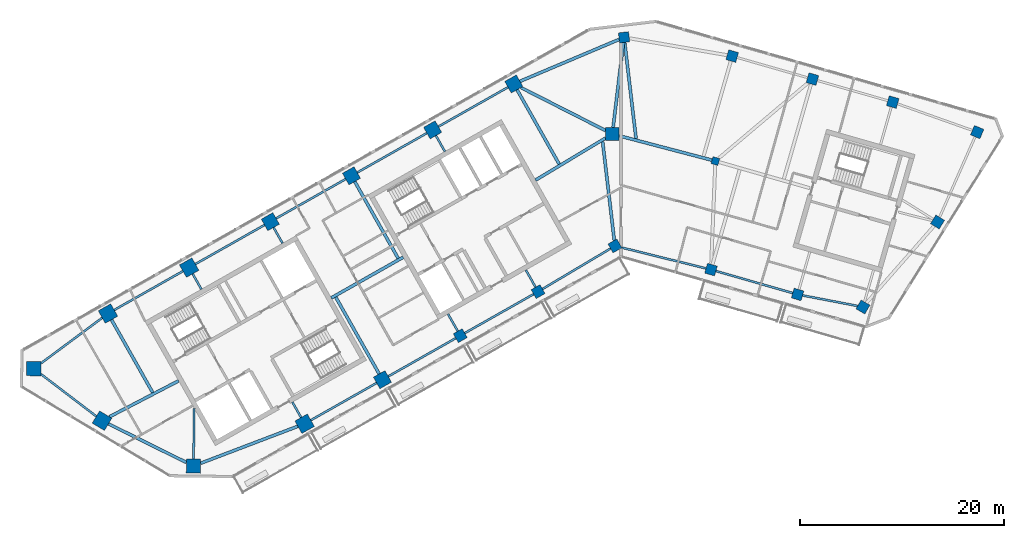
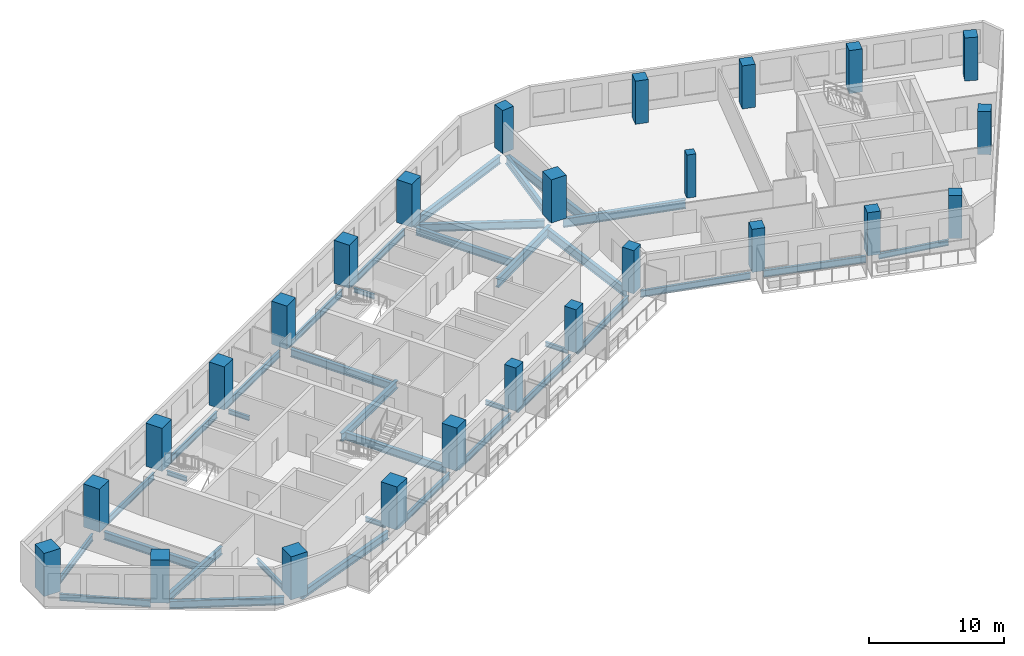
# One storey, part 1 of 11: 36 beams, 25 columns.
"""IFC4 building model written with IfcOpenShell, lengths in metres."""

from ifc_helpers import new_model, si_unit, direction, frame, origin, origin_2d, place, context, subcontext, project, spatial, rectangle, i_section, extrude, material, material_profile, profile_set, type_object, element, save


model = new_model("IFC4")

# Units and contexts
model_context = context("Model", 3, precision=1e-05, world=origin(), true_north=direction((0.0, 1.0)))
body_context = subcontext(model_context, "Body", "Model", "MODEL_VIEW")
ifc_project = project(units=[si_unit("LENGTHUNIT", "METRE"), si_unit("AREAUNIT", "SQUARE_METRE"), si_unit("VOLUMEUNIT", "CUBIC_METRE"), si_unit("PLANEANGLEUNIT", "RADIAN"), si_unit("MASSUNIT", "GRAM", prefix="KILO")], contexts=[model_context])

# Site, building, storey
site_placement = place(None, origin())
site = spatial("IfcSite", under=ifc_project, at=site_placement, CompositionType="ELEMENT")
building_placement = place(site_placement, origin())
building = spatial("IfcBuilding", under=site, at=building_placement, Name="Binnacle Exchange Tower", CompositionType="ELEMENT")
storey_placement = place(building_placement, frame((0.0, 0.0, 219.199951171875)))
storey = spatial("IfcBuildingStorey", under=building, at=storey_placement, Name="L48", CompositionType="ELEMENT", Elevation=219.199951171875)

# Columns
ifc_material_1 = material(Name="Concrete C60/75", Category="concrete")
ifc_material_profile_1 = material_profile(ifc_material_1, rectangle(XDim=0.699951171875, YDim=0.699951171875, at=origin_2d()), Name="Column 700x700 C60/75")
ifc_profile_set_1 = profile_set([ifc_material_profile_1], Name="Concrete C60/75")
column_type_1 = type_object("IfcColumnType", Name="Column 700x700 C60/75", PredefinedType="COLUMN", material=ifc_profile_set_1)
column_placement = place(storey_placement, frame((9.240966796875, 57.35009765625, 0.0), z_axis=(0.0, 0.0, 1.0), x_axis=(0.961261695938, -0.275637355817, 0.0)))
element("IfcColumn", 1, at=column_placement, inside=storey, type_object=column_type_1, Name="S:COL:C19:L48", PredefinedType="COLUMN", context=body_context, shape_type="SweptSolid", body=[
    extrude(rectangle(XDim=0.699951171875, YDim=0.699951171875, at=origin_2d()), origin(), (0.0, 0.0, 1.0), 3.900146484375),
])
ifc_material_profile_2 = material_profile(ifc_material_1, rectangle(XDim=1.0, YDim=1.0, at=origin_2d()), Name="Mega column 1000x1000 C60/75")
ifc_profile_set_2 = profile_set([ifc_material_profile_2], Name="Concrete C60/75")
column_type_2 = type_object("IfcColumnType", Name="Mega column 1000x1000 C60/75", PredefinedType="COLUMN", material=ifc_profile_set_2)
for number, where, z_axis, x_axis, name in (
    (2, (26.602783203125, 63.12353515625, 0.0), (0.0, 0.0, 1.0), (-0.961261695938, 0.275637355817, 0.0), "S:COL:MC52:L48"),
    (3, (18.746337890625, 65.376220703125, 0.0), (0.0, 0.0, 1.0), (-0.961261695938, 0.275637355817, 0.0), "S:COL:MC50:L48"),
    (4, (10.889892578125, 67.62890625, 0.0), (0.0, 0.0, 1.0), (-0.961261695938, 0.275637355817, 0.0), "S:COL:MC48:L48"),
    (5, (0.300048828125, 69.464111328125, 0.0), (0.0, 0.0, 1.0), (-0.993068456955, -0.117537397458, 0.0), "S:COL:MC47:L48"),
    (6, (-15.736328125, 40.257080078125, 0.0), (0.0, 0.0, 1.0), (0.87035569594, 0.492423560103, 0.0), "S:COL:MC24:L48"),
    (7, (-8.116943359375, 44.568115234375, 0.0), (0.0, 0.0, 1.0), (0.87035569594, 0.492423560103, 0.0), "S:COL:MC35:L48"),
    (8, (-0.5908203125, 49.04443359375, 0.0), (0.0, 0.0, 1.0), (0.87035569594, 0.492423560103, 0.0), "S:COL:MC46:L48"),
    (9, (8.8095703125, 46.722412109375, 0.0), (0.0, 0.0, 1.0), (0.961261695938, -0.275637355817, 0.0), "S:COL:MC49:L48"),
    (10, (17.2880859375, 44.291015625, 0.0), (0.0, 0.0, 1.0), (0.961261695938, -0.275637355817, 0.0), "S:COL:MC51:L48"),
    (11, (23.690185546875, 43.062744140625, 0.0), (0.0, 0.0, 1.0), (-0.86532642813, 0.501208711795, 0.0), "S:COL:MC53:L48"),
    (12, (30.989501953125, 51.38623046875, 0.0), (0.0, 0.0, 1.0), (0.529919264233, 0.848048096156, 0.0), "S:COL:MC55:L48"),
    (13, (34.870361328125, 60.18701171875, 0.0), (0.0, 0.0, 1.0), (-0.922814001807, 0.385245789164, 0.0), "S:COL:MC54:L48"),
):
    element("IfcColumn", number, at=place(storey_placement, frame(where, z_axis=z_axis, x_axis=x_axis)), inside=storey, type_object=column_type_2, Name=name, PredefinedType="COLUMN", context=body_context, shape_type="SweptSolid", body=[
        extrude(rectangle(XDim=1.0, YDim=1.0, at=origin_2d()), origin(), (0.0, 0.0, 1.0), 3.900146484375),
    ])
ifc_material_profile_3 = material_profile(ifc_material_1, rectangle(XDim=1.300048828125, YDim=1.300048828125, at=origin_2d()), Name="Mega column 1300x1300 C60/75")
ifc_profile_set_3 = profile_set([ifc_material_profile_3], Name="Concrete C60/75")
column_type_3 = type_object("IfcColumnType", Name="Mega column 1300x1300 C60/75", PredefinedType="COLUMN", material=ifc_profile_set_3)
for number, where, z_axis, x_axis, name in (
    (14, (-10.4951171875, 64.901611328125, 0.0), (0.0, 0.0, 1.0), (-0.87035569594, -0.492423560103, 0.0), "S:COL:MC38:L48"),
    (15, (-18.44140625, 60.406005859375, 0.0), (0.0, 0.0, 1.0), (-0.87035569594, -0.492423560103, 0.0), "S:COL:MC29:L48"),
    (16, (-26.3876953125, 55.91015625, 0.0), (0.0, 0.0, 1.0), (-0.87035569594, -0.492423560103, 0.0), "S:COL:MC21:L48"),
    (17, (-34.333740234375, 51.414306640625, 0.0), (0.0, 0.0, 1.0), (-0.87035569594, -0.492423560103, 0.0), "S:COL:MC13:L48"),
    (18, (-23.35595703125, 35.9462890625, 0.0), (0.0, 0.0, 1.0), (0.87035569594, 0.492423560103, 0.0), "S:COL:MC16:L48"),
    (19, (-0.85009765625, 60.0, 0.0), (0.0, 0.0, 1.0), (0.0, 1.0, 0.0), "S:COL:MC45:L48"),
):
    element("IfcColumn", number, at=place(storey_placement, frame(where, z_axis=z_axis, x_axis=x_axis)), inside=storey, type_object=column_type_3, Name=name, PredefinedType="COLUMN", context=body_context, shape_type="SweptSolid", body=[
        extrude(rectangle(XDim=1.300048828125, YDim=1.300048828125, at=origin_2d()), origin(), (0.0, 0.0, 1.0), 3.900146484375),
    ])
ifc_material_profile_4 = material_profile(ifc_material_1, rectangle(XDim=1.39990234375, YDim=1.39990234375, at=origin_2d()), Name="Mega column 1400x1400 C60/75")
ifc_profile_set_4 = profile_set([ifc_material_profile_4], Name="Concrete C60/75")
column_type_4 = type_object("IfcColumnType", Name="Mega column 1400x1400 C60/75", PredefinedType="COLUMN", material=ifc_profile_set_4)
for number, where, z_axis, x_axis, name in (
    (20, (-42.280029296875, 46.918701171875, 0.0), (0.0, 0.0, 1.0), (-0.87035569594, -0.492423560103, 0.0), "S:COL:MC08:L48"),
    (21, (-50.226318359375, 42.4228515625, 0.0), (0.0, 0.0, 1.0), (-0.87035569594, -0.492423560103, 0.0), "S:COL:MC04:L48"),
    (22, (-57.492919921875, 37.02734375, 0.0), (0.0, 0.0, 1.0), (-0.013089595571, -0.999914327574, 0.0), "S:COL:MC02:L48"),
    (23, (-50.81201171875, 31.930908203125, 0.0), (0.0, 0.0, 1.0), (0.857167300702, -0.51503807491, 0.0), "S:COL:MC01:L48"),
    (24, (-41.857666015625, 27.494873046875, 0.0), (0.0, 0.0, 1.0), (0.999914327574, -0.013089595571, 0.0), "S:COL:MC03:L48"),
    (25, (-30.9755859375, 31.63525390625, 0.0), (0.0, 0.0, 1.0), (0.87035569594, 0.492423560103, 0.0), "S:COL:MC07:L48"),
):
    element("IfcColumn", number, at=place(storey_placement, frame(where, z_axis=z_axis, x_axis=x_axis)), inside=storey, type_object=column_type_4, Name=name, PredefinedType="COLUMN", context=body_context, shape_type="SweptSolid", body=[
        extrude(rectangle(XDim=1.39990234375, YDim=1.39990234375, at=origin_2d()), origin(), (0.0, 0.0, 1.0), 3.900146484375),
    ])

# Beams
ifc_material_2 = material(Name="Steel S355 (SHN355)", Category="steel")
ifc_material_profile_5 = material_profile(ifc_material_2, i_section(OverallWidth=0.199951171875, OverallDepth=0.5, WebThickness=0.010009765625, FlangeThickness=0.01611328125, FilletRadius=0.02001953125, at=origin_2d()), Name="H 500x200x10x16")
ifc_profile_set_5 = profile_set([ifc_material_profile_5], Name="Steel S355 (SHN355)")
beam_type_1 = type_object("IfcBeamType", Name="Edge girder H 500x200x10x16 Steel S355 (SHN355)", PredefinedType="SPANDREL", material=ifc_profile_set_5)
beam_1_placement = place(storey_placement, frame((17.78125, 44.196533203125, -0.530029296875), z_axis=(0.98208728148, -0.188426568073, 0.0), x_axis=(0.188426568073, 0.98208728148, 0.0)))
element("IfcBeam", 26, at=beam_1_placement, inside=storey, type_object=beam_type_1, Name="S:BM:edge:L48:028", PredefinedType="SPANDREL", context=body_context, shape_type="SweptSolid", body=[
    extrude(i_section(OverallWidth=0.199951171875, OverallDepth=0.5, WebThickness=0.010009765625, FlangeThickness=0.01611328125, FilletRadius=0.02001953125, at=origin_2d()), origin(), (0.0, 0.0, 1.0), 5.4873046875),
])
ifc_material_profile_6 = material_profile(ifc_material_2, i_section(OverallWidth=0.199951171875, OverallDepth=0.60009765625, WebThickness=0.010986328125, FlangeThickness=0.01708984375, FilletRadius=0.02197265625, at=origin_2d()), Name="H 600x200x11x17")
ifc_profile_set_6 = profile_set([ifc_material_profile_6], Name="Steel S355 (SHN355)")
beam_type_2 = type_object("IfcBeamType", Name="Edge girder H 600x200x11x17 Steel S355 (SHN355)", PredefinedType="SPANDREL", material=ifc_profile_set_6)
beam_2_placement = place(storey_placement, frame((-56.7998046875, 36.49853515625, -0.579833984375), z_axis=(0.795081038606, -0.606503208606, 0.0), x_axis=(0.606503208606, 0.795081038606, 0.0)))
element("IfcBeam", 27, at=beam_2_placement, inside=storey, type_object=beam_type_2, Name="S:BM:edge:L48:011", PredefinedType="SPANDREL", context=body_context, shape_type="SweptSolid", body=[
    extrude(i_section(OverallWidth=0.199951171875, OverallDepth=0.60009765625, WebThickness=0.010986328125, FlangeThickness=0.01708984375, FilletRadius=0.02197265625, at=origin_2d()), origin(), (0.0, 0.0, 1.0), 6.82666015625),
])
ifc_material_profile_7 = material_profile(ifc_material_2, i_section(OverallWidth=0.200927734375, OverallDepth=0.60595703125, WebThickness=0.011962890625, FlangeThickness=0.02001953125, FilletRadius=0.02197265625, at=origin_2d()), Name="H 606x201x12x20")
ifc_profile_set_7 = profile_set([ifc_material_profile_7], Name="Steel S355 (SHN355)")
beam_type_3 = type_object("IfcBeamType", Name="Edge girder H 606x201x12x20 Steel S355 (SHN355)", PredefinedType="SPANDREL", material=ifc_profile_set_7)
beam_3_placement = place(storey_placement, frame((-50.79248046875, 42.00244140625, -0.5830078125), z_axis=(-0.802886959261, -0.596131303194, 0.0), x_axis=(0.596131303194, -0.802886959261, 0.0)))
element("IfcBeam", 28, at=beam_3_placement, inside=storey, type_object=beam_type_3, Name="S:BM:edge:L48:012", PredefinedType="SPANDREL", context=body_context, shape_type="SweptSolid", body=[
    extrude(i_section(OverallWidth=0.200927734375, OverallDepth=0.60595703125, WebThickness=0.011962890625, FlangeThickness=0.02001953125, FilletRadius=0.02197265625, at=origin_2d()), origin(), (0.0, 0.0, 1.0), 7.465087890625),
])
beam_4_placement = place(storey_placement, frame((-30.3662109375, 31.97998046875, -0.5830078125), z_axis=(0.87035151347, 0.49243095252, 0.0), x_axis=(-0.49243095252, 0.87035151347, 0.0)))
element("IfcBeam", 29, at=beam_4_placement, inside=storey, type_object=beam_type_3, Name="S:BM:edge:L48:017", PredefinedType="SPANDREL", context=body_context, shape_type="SweptSolid", body=[
    extrude(i_section(OverallWidth=0.200927734375, OverallDepth=0.60595703125, WebThickness=0.011962890625, FlangeThickness=0.02001953125, FilletRadius=0.02197265625, at=origin_2d()), origin(), (0.0, 0.0, 1.0), 7.404541015625),
])
beam_5_placement = place(storey_placement, frame((-22.790283203125, 36.266357421875, -0.5830078125), z_axis=(0.870357072119, 0.492421127708, 0.0), x_axis=(-0.492421127708, 0.870357072119, 0.0)))
element("IfcBeam", 30, at=beam_5_placement, inside=storey, type_object=beam_type_3, Name="S:BM:edge:L48:019", PredefinedType="SPANDREL", context=body_context, shape_type="SweptSolid", body=[
    extrude(i_section(OverallWidth=0.200927734375, OverallDepth=0.60595703125, WebThickness=0.011962890625, FlangeThickness=0.02001953125, FilletRadius=0.02197265625, at=origin_2d()), origin(), (0.0, 0.0, 1.0), 7.6044921875),
])
beam_6_placement = place(storey_placement, frame((-15.30126953125, 40.50341796875, -0.5830078125), z_axis=(0.870352841483, 0.492428605304, 0.0), x_axis=(-0.492428605304, 0.870352841483, 0.0)))
element("IfcBeam", 31, at=beam_6_placement, inside=storey, type_object=beam_type_3, Name="S:BM:edge:L48:021", PredefinedType="SPANDREL", context=body_context, shape_type="SweptSolid", body=[
    extrude(i_section(OverallWidth=0.200927734375, OverallDepth=0.60595703125, WebThickness=0.011962890625, FlangeThickness=0.02001953125, FilletRadius=0.02197265625, at=origin_2d()), origin(), (0.0, 0.0, 1.0), 7.754638671875),
])
beam_7_placement = place(storey_placement, frame((-7.68701171875, 44.82373046875, -0.5830078125), z_axis=(0.859458521045, 0.51120548765, 0.0), x_axis=(-0.51120548765, 0.859458521045, 0.0)))
element("IfcBeam", 32, at=beam_7_placement, inside=storey, type_object=beam_type_3, Name="S:BM:edge:L48:023", PredefinedType="SPANDREL", context=body_context, shape_type="SweptSolid", body=[
    extrude(i_section(OverallWidth=0.200927734375, OverallDepth=0.60595703125, WebThickness=0.011962890625, FlangeThickness=0.02001953125, FilletRadius=0.02197265625, at=origin_2d()), origin(), (0.0, 0.0, 1.0), 7.75634765625),
])
beam_8_placement = place(storey_placement, frame((9.2900390625, 46.58447265625, -0.5830078125), z_axis=(0.961265533153, -0.275623973506, 0.0), x_axis=(0.275623973506, 0.961265533153, 0.0)))
element("IfcBeam", 33, at=beam_8_placement, inside=storey, type_object=beam_type_3, Name="S:BM:edge:L48:026", PredefinedType="SPANDREL", context=body_context, shape_type="SweptSolid", body=[
    extrude(i_section(OverallWidth=0.200927734375, OverallDepth=0.60595703125, WebThickness=0.011962890625, FlangeThickness=0.02001953125, FilletRadius=0.02197265625, at=origin_2d()), origin(), (0.0, 0.0, 1.0), 7.820556640625),
])
ifc_material_profile_8 = material_profile(ifc_material_2, i_section(OverallWidth=0.201904296875, OverallDepth=0.612060546875, WebThickness=0.012939453125, FlangeThickness=0.02294921875, FilletRadius=0.02197265625, at=origin_2d()), Name="H 612x202x13x23")
ifc_profile_set_8 = profile_set([ifc_material_profile_8], Name="Steel S355 (SHN355)")
beam_type_4 = type_object("IfcBeamType", Name="Edge girder H 612x202x13x23 Steel S355 (SHN355)", PredefinedType="SPANDREL", material=ifc_profile_set_8)
beam_9_placement = place(storey_placement, frame((-42.88916015625, 46.573974609375, -0.5859375), z_axis=(-0.870355702011, -0.492423549372, 0.0), x_axis=(0.492423549372, -0.870355702011, 0.0)))
element("IfcBeam", 34, at=beam_9_placement, inside=storey, type_object=beam_type_4, Name="S:BM:edge:L48:014", PredefinedType="SPANDREL", context=body_context, shape_type="SweptSolid", body=[
    extrude(i_section(OverallWidth=0.201904296875, OverallDepth=0.612060546875, WebThickness=0.012939453125, FlangeThickness=0.02294921875, FilletRadius=0.02197265625, at=origin_2d()), origin(), (0.0, 0.0, 1.0), 7.72998046875),
])
beam_10_placement = place(storey_placement, frame((-34.8994140625, 51.09423828125, -0.5859375), z_axis=(-0.870365218126, -0.492406729317, 0.0), x_axis=(0.492406729317, -0.870365218126, 0.0)))
element("IfcBeam", 35, at=beam_10_placement, inside=storey, type_object=beam_type_4, Name="S:BM:edge:L48:016", PredefinedType="SPANDREL", context=body_context, shape_type="SweptSolid", body=[
    extrude(i_section(OverallWidth=0.201904296875, OverallDepth=0.612060546875, WebThickness=0.012939453125, FlangeThickness=0.02294921875, FilletRadius=0.02197265625, at=origin_2d()), origin(), (0.0, 0.0, 1.0), 7.77978515625),
])
beam_11_placement = place(storey_placement, frame((-26.953369140625, 55.590087890625, -0.5859375), z_axis=(-0.870361249296, -0.492413744452, 0.0), x_axis=(0.492413744452, -0.870361249296, 0.0)))
element("IfcBeam", 36, at=beam_11_placement, inside=storey, type_object=beam_type_4, Name="S:BM:edge:L48:018", PredefinedType="SPANDREL", context=body_context, shape_type="SweptSolid", body=[
    extrude(i_section(OverallWidth=0.201904296875, OverallDepth=0.612060546875, WebThickness=0.012939453125, FlangeThickness=0.02294921875, FilletRadius=0.02197265625, at=origin_2d()), origin(), (0.0, 0.0, 1.0), 7.829833984375),
])
beam_12_placement = place(storey_placement, frame((-19.007080078125, 60.0859375, -0.5859375), z_axis=(-0.870355446453, -0.492424001069, 0.0), x_axis=(0.492424001069, -0.870355446453, 0.0)))
element("IfcBeam", 37, at=beam_12_placement, inside=storey, type_object=beam_type_4, Name="S:BM:edge:L48:020", PredefinedType="SPANDREL", context=body_context, shape_type="SweptSolid", body=[
    extrude(i_section(OverallWidth=0.201904296875, OverallDepth=0.612060546875, WebThickness=0.012939453125, FlangeThickness=0.02294921875, FilletRadius=0.02197265625, at=origin_2d()), origin(), (0.0, 0.0, 1.0), 7.830078125),
])
beam_13_placement = place(storey_placement, frame((-11.060791015625, 64.58154296875, -0.5859375), z_axis=(-0.870361249296, -0.492413744452, 0.0), x_axis=(0.492413744452, -0.870361249296, 0.0)))
element("IfcBeam", 38, at=beam_13_placement, inside=storey, type_object=beam_type_4, Name="S:BM:edge:L48:022", PredefinedType="SPANDREL", context=body_context, shape_type="SweptSolid", body=[
    extrude(i_section(OverallWidth=0.201904296875, OverallDepth=0.612060546875, WebThickness=0.012939453125, FlangeThickness=0.02294921875, FilletRadius=0.02197265625, at=origin_2d()), origin(), (0.0, 0.0, 1.0), 7.829833984375),
])
beam_14_placement = place(storey_placement, frame((0.076904296875, 48.87939453125, -0.5859375), z_axis=(0.970819987475, -0.239809407487, 0.0), x_axis=(0.239809407487, 0.970819987475, 0.0)))
element("IfcBeam", 39, at=beam_14_placement, inside=storey, type_object=beam_type_4, Name="S:BM:edge:L48:025", PredefinedType="SPANDREL", context=body_context, shape_type="SweptSolid", body=[
    extrude(i_section(OverallWidth=0.201904296875, OverallDepth=0.612060546875, WebThickness=0.012939453125, FlangeThickness=0.02294921875, FilletRadius=0.02197265625, at=origin_2d()), origin(), (0.0, 0.0, 1.0), 8.49462890625),
])
ifc_material_profile_9 = material_profile(ifc_material_2, i_section(OverallWidth=0.300048828125, OverallDepth=0.699951171875, WebThickness=0.012939453125, FlangeThickness=0.02392578125, FilletRadius=0.028076171875, at=origin_2d()), Name="H 700x300x13x24")
ifc_profile_set_9 = profile_set([ifc_material_profile_9], Name="Steel S355 (SHN355)")
beam_type_5 = type_object("IfcBeamType", Name="Edge girder H 700x300x13x24 Steel S355 (SHN355)", PredefinedType="SPANDREL", material=ifc_profile_set_9)
beam_15_placement = place(storey_placement, frame((-50.1826171875, 31.619140625, -0.6298828125), z_axis=(0.896061326398, -0.443930286569, 0.0), x_axis=(0.443930286569, 0.896061326398, 0.0)))
element("IfcBeam", 40, at=beam_15_placement, inside=storey, type_object=beam_type_5, Name="S:BM:edge:L48:013", PredefinedType="SPANDREL", context=body_context, shape_type="SweptSolid", body=[
    extrude(i_section(OverallWidth=0.300048828125, OverallDepth=0.699951171875, WebThickness=0.012939453125, FlangeThickness=0.02392578125, FilletRadius=0.028076171875, at=origin_2d()), origin(), (0.0, 0.0, 1.0), 8.514404296875),
])
beam_16_placement = place(storey_placement, frame((-41.154052734375, 27.762451171875, -0.6298828125), z_axis=(0.934627442278, 0.355628379268, 0.0), x_axis=(-0.355628379268, 0.934627442278, 0.0)))
element("IfcBeam", 41, at=beam_16_placement, inside=storey, type_object=beam_type_5, Name="S:BM:edge:L48:015", PredefinedType="SPANDREL", context=body_context, shape_type="SweptSolid", body=[
    extrude(i_section(OverallWidth=0.300048828125, OverallDepth=0.699951171875, WebThickness=0.012939453125, FlangeThickness=0.02392578125, FilletRadius=0.028076171875, at=origin_2d()), origin(), (0.0, 0.0, 1.0), 10.18212890625),
])
beam_17_placement = place(storey_placement, frame((-0.179443359375, 69.261474609375, -0.6298828125), z_axis=(-0.921114178723, -0.389292524659, 0.0), x_axis=(0.389292524659, -0.921114178723, 0.0)))
element("IfcBeam", 42, at=beam_17_placement, inside=storey, type_object=beam_type_5, Name="S:BM:edge:L48:024", PredefinedType="SPANDREL", context=body_context, shape_type="SweptSolid", body=[
    extrude(i_section(OverallWidth=0.300048828125, OverallDepth=0.699951171875, WebThickness=0.012939453125, FlangeThickness=0.02392578125, FilletRadius=0.028076171875, at=origin_2d()), origin(), (0.0, 0.0, 1.0), 10.544677734375),
])
ifc_material_profile_10 = material_profile(ifc_material_2, i_section(OverallWidth=0.199951171875, OverallDepth=0.39990234375, WebThickness=0.008056640625, FlangeThickness=0.012939453125, FilletRadius=0.01611328125, at=origin_2d()), Name="H 400x200x8x13")
ifc_profile_set_10 = profile_set([ifc_material_profile_10], Name="Steel S355 (SHN355)")
beam_type_6 = type_object("IfcBeamType", Name="Floor beam H 400x200x8x13 Steel S355 (SHN355)", PredefinedType="BEAM", material=ifc_profile_set_10)
beam_18_placement = place(storey_placement, frame((-41.935302734375, 46.3095703125, -0.47998046875), z_axis=(0.492405102951, -0.870366138236, 0.0), x_axis=(0.870366138236, 0.492405102951, 0.0)))
element("IfcBeam", 43, at=beam_18_placement, inside=storey, type_object=beam_type_6, Name="S:BM:cross:L48:035", PredefinedType="BEAM", context=body_context, shape_type="SweptSolid", body=[
    extrude(i_section(OverallWidth=0.199951171875, OverallDepth=0.39990234375, WebThickness=0.008056640625, FlangeThickness=0.012939453125, FilletRadius=0.01611328125, at=origin_2d()), origin(), (0.0, 0.0, 1.0), 1.734375),
])
beam_19_placement = place(storey_placement, frame((-34.013671875, 50.8486328125, -0.47998046875), z_axis=(0.492435931281, -0.870348696548, 0.0), x_axis=(0.870348696548, 0.492435931281, 0.0)))
element("IfcBeam", 44, at=beam_19_placement, inside=storey, type_object=beam_type_6, Name="S:BM:cross:L48:037", PredefinedType="BEAM", context=body_context, shape_type="SweptSolid", body=[
    extrude(i_section(OverallWidth=0.199951171875, OverallDepth=0.39990234375, WebThickness=0.008056640625, FlangeThickness=0.012939453125, FilletRadius=0.01611328125, at=origin_2d()), origin(), (0.0, 0.0, 1.0), 1.784423828125),
])
beam_20_placement = place(storey_placement, frame((-31.3203125, 32.244384765625, -0.47998046875), z_axis=(-0.492405102951, 0.870366138236, 0.0), x_axis=(-0.870366138236, -0.492405102951, 0.0)))
element("IfcBeam", 45, at=beam_20_placement, inside=storey, type_object=beam_type_6, Name="S:BM:cross:L48:038", PredefinedType="BEAM", context=body_context, shape_type="SweptSolid", body=[
    extrude(i_section(OverallWidth=0.199951171875, OverallDepth=0.39990234375, WebThickness=0.008056640625, FlangeThickness=0.012939453125, FilletRadius=0.01611328125, at=origin_2d()), origin(), (0.0, 0.0, 1.0), 1.734375),
])
beam_21_placement = place(storey_placement, frame((-18.12109375, 59.84033203125, -0.47998046875), z_axis=(0.49233227435, -0.870407336615, 0.0), x_axis=(0.870407336615, 0.49233227435, 0.0)))
element("IfcBeam", 46, at=beam_21_placement, inside=storey, type_object=beam_type_6, Name="S:BM:cross:L48:041", PredefinedType="BEAM", context=body_context, shape_type="SweptSolid", body=[
    extrude(i_section(OverallWidth=0.199951171875, OverallDepth=0.39990234375, WebThickness=0.008056640625, FlangeThickness=0.012939453125, FilletRadius=0.01611328125, at=origin_2d()), origin(), (0.0, 0.0, 1.0), 1.7841796875),
])
for number, where, z_axis, x_axis, name in (
    (47, (-15.982666015625, 40.6923828125, -0.47998046875), (-0.492369148916, 0.870386478063, 0.0), (-0.870386478063, -0.492369148916, 0.0), "S:BM:cross:L48:042"),
    (48, (-8.363037109375, 45.00341796875, -0.47998046875), (-0.492518856771, 0.870301772792, 0.0), (-0.870301772792, -0.492518856771, 0.0), "S:BM:cross:L48:044"),
):
    element("IfcBeam", number, at=place(storey_placement, frame(where, z_axis=z_axis, x_axis=x_axis)), inside=storey, type_object=beam_type_6, Name=name, PredefinedType="BEAM", context=body_context, shape_type="SweptSolid", body=[
        extrude(i_section(OverallWidth=0.199951171875, OverallDepth=0.39990234375, WebThickness=0.008056640625, FlangeThickness=0.012939453125, FilletRadius=0.01611328125, at=origin_2d()), origin(), (0.0, 0.0, 1.0), 1.934326171875),
    ])
ifc_material_profile_11 = material_profile(ifc_material_2, i_section(OverallWidth=0.200927734375, OverallDepth=0.506103515625, WebThickness=0.010986328125, FlangeThickness=0.01904296875, FilletRadius=0.02001953125, at=origin_2d()), Name="H 506x201x11x19")
ifc_profile_set_11 = profile_set([ifc_material_profile_11], Name="Steel S355 (SHN355)")
beam_type_7 = type_object("IfcBeamType", Name="Floor beam H 506x201x11x19 Steel S355 (SHN355)", PredefinedType="BEAM", material=ifc_profile_set_11)
beam_22_placement = place(storey_placement, frame((-41.848388671875, 28.194580078125, -0.532958984375), z_axis=(0.013067878487, 0.99991461163, 0.0), x_axis=(-0.99991461163, 0.013067878487, 0.0)))
element("IfcBeam", 49, at=beam_22_placement, inside=storey, type_object=beam_type_7, Name="S:BM:cross:L48:036", PredefinedType="BEAM", context=body_context, shape_type="SweptSolid", body=[
    extrude(i_section(OverallWidth=0.200927734375, OverallDepth=0.506103515625, WebThickness=0.010986328125, FlangeThickness=0.01904296875, FilletRadius=0.02001953125, at=origin_2d()), origin(), (0.0, 0.0, 1.0), 4.950927734375),
])
ifc_material_profile_12 = material_profile(ifc_material_2, i_section(OverallWidth=0.300048828125, OverallDepth=0.699951171875, WebThickness=0.012939453125, FlangeThickness=0.02392578125, FilletRadius=0.028076171875, at=origin_2d()), Name="H 700x300x13x24")
ifc_profile_set_12 = profile_set([ifc_material_profile_12], Name="Steel S355 (SHN355)")
beam_type_8 = type_object("IfcBeamType", Name="Floor beam H 700x300x13x24 Steel S355 (SHN355)", PredefinedType="BEAM", material=ifc_profile_set_12)
beam_23_placement = place(storey_placement, frame((-49.881591796875, 41.813720703125, -0.6298828125), z_axis=(0.492430408551, -0.870351821239, 0.0), x_axis=(0.870351821239, 0.492430408551, 0.0)))
element("IfcBeam", 50, at=beam_23_placement, inside=storey, type_object=beam_type_8, Name="S:BM:cross:L48:034", PredefinedType="BEAM", context=body_context, shape_type="SweptSolid", body=[
    extrude(i_section(OverallWidth=0.300048828125, OverallDepth=0.699951171875, WebThickness=0.012939453125, FlangeThickness=0.02392578125, FilletRadius=0.028076171875, at=origin_2d()), origin(), (0.0, 0.0, 1.0), 8.19140625),
])
beam_24_placement = place(storey_placement, frame((-10.175048828125, 64.3359375, -0.6298828125), z_axis=(0.492424391334, -0.870355225652, 0.0), x_axis=(0.870355225652, 0.492424391334, 0.0)))
element("IfcBeam", 51, at=beam_24_placement, inside=storey, type_object=beam_type_8, Name="S:BM:cross:L48:043", PredefinedType="BEAM", context=body_context, shape_type="SweptSolid", body=[
    extrude(i_section(OverallWidth=0.300048828125, OverallDepth=0.699951171875, WebThickness=0.012939453125, FlangeThickness=0.02392578125, FilletRadius=0.028076171875, at=origin_2d()), origin(), (0.0, 0.0, 1.0), 8.369384765625),
])
ifc_material_profile_13 = material_profile(ifc_material_2, i_section(OverallWidth=0.302001953125, OverallDepth=0.7080078125, WebThickness=0.014892578125, FlangeThickness=0.028076171875, FilletRadius=0.028076171875, at=origin_2d()), Name="H 708x302x15x28")
ifc_profile_set_13 = profile_set([ifc_material_profile_13], Name="Steel S355 (SHN355)")
beam_type_9 = type_object("IfcBeamType", Name="Floor beam H 708x302x15x28 Steel S355 (SHN355)", PredefinedType="BEAM", material=ifc_profile_set_13)
beam_25_placement = place(storey_placement, frame((-26.0673828125, 55.344482421875, -0.634033203125), z_axis=(0.492401028839, -0.870368443131, 0.0), x_axis=(0.870368443131, 0.492401028839, 0.0)))
element("IfcBeam", 52, at=beam_25_placement, inside=storey, type_object=beam_type_9, Name="S:BM:cross:L48:039", PredefinedType="BEAM", context=body_context, shape_type="SweptSolid", body=[
    extrude(i_section(OverallWidth=0.302001953125, OverallDepth=0.7080078125, WebThickness=0.014892578125, FlangeThickness=0.028076171875, FilletRadius=0.028076171875, at=origin_2d()), origin(), (0.0, 0.0, 1.0), 8.634033203125),
])
beam_26_placement = place(storey_placement, frame((-23.676025390625, 36.511962890625, -0.634033203125), z_axis=(-0.492422448747, 0.870356324714, 0.0), x_axis=(-0.870356324714, -0.492422448747, 0.0)))
element("IfcBeam", 53, at=beam_26_placement, inside=storey, type_object=beam_type_9, Name="S:BM:cross:L48:040", PredefinedType="BEAM", context=body_context, shape_type="SweptSolid", body=[
    extrude(i_section(OverallWidth=0.302001953125, OverallDepth=0.7080078125, WebThickness=0.014892578125, FlangeThickness=0.028076171875, FilletRadius=0.028076171875, at=origin_2d()), origin(), (0.0, 0.0, 1.0), 8.63427734375),
])
ifc_material_profile_14 = material_profile(ifc_material_2, i_section(OverallWidth=0.300048828125, OverallDepth=0.800048828125, WebThickness=0.013916015625, FlangeThickness=0.02587890625, FilletRadius=0.028076171875, at=origin_2d()), Name="H 800x300x14x26")
ifc_profile_set_14 = profile_set([ifc_material_profile_14], Name="Steel S355 (SHN355)")
beam_type_10 = type_object("IfcBeamType", Name="Floor beam H 800x300x14x26 Steel S355 (SHN355)", PredefinedType="BEAM", material=ifc_profile_set_14)
beam_27_placement = place(storey_placement, frame((-0.654541015625, 49.5830078125, -0.679931640625), z_axis=(-0.117538284625, 0.993068351951, 0.0), x_axis=(-0.993068351951, -0.117538284625, 0.0)))
element("IfcBeam", 54, at=beam_27_placement, inside=storey, type_object=beam_type_10, Name="S:BM:cross:L48:045", PredefinedType="BEAM", context=body_context, shape_type="SweptSolid", body=[
    extrude(i_section(OverallWidth=0.300048828125, OverallDepth=0.800048828125, WebThickness=0.013916015625, FlangeThickness=0.02587890625, FilletRadius=0.028076171875, at=origin_2d()), origin(), (0.0, 0.0, 1.0), 9.754150390625),
])
beam_28_placement = place(storey_placement, frame((0.35888671875, 68.9677734375, -0.679931640625), z_axis=(0.117547988923, -0.993067203315, 0.0), x_axis=(0.993067203315, 0.117547988923, 0.0)))
element("IfcBeam", 55, at=beam_28_placement, inside=storey, type_object=beam_type_10, Name="S:BM:cross:L48:046", PredefinedType="BEAM", context=body_context, shape_type="SweptSolid", body=[
    extrude(i_section(OverallWidth=0.300048828125, OverallDepth=0.800048828125, WebThickness=0.013916015625, FlangeThickness=0.02587890625, FilletRadius=0.028076171875, at=origin_2d()), origin(), (0.0, 0.0, 1.0), 9.5),
])
ifc_material_profile_15 = material_profile(ifc_material_2, i_section(OverallWidth=0.300048828125, OverallDepth=0.699951171875, WebThickness=0.012939453125, FlangeThickness=0.02392578125, FilletRadius=0.028076171875, at=origin_2d()), Name="H 700x300x13x24")
ifc_profile_set_15 = profile_set([ifc_material_profile_15], Name="Steel S355 (SHN355)")
beam_type_11 = type_object("IfcBeamType", Name="Spine girder H 700x300x13x24 Steel S355 (SHN355)", PredefinedType="BEAM", material=ifc_profile_set_15)
beam_29_placement = place(storey_placement, frame((-50.083740234375, 32.31005859375, -0.6298828125), z_axis=(0.886975994229, 0.46181553207, 0.0), x_axis=(-0.46181553207, 0.886975994229, 0.0)))
element("IfcBeam", 56, at=beam_29_placement, inside=storey, type_object=beam_type_11, Name="S:BM:spine:L48:001", PredefinedType="BEAM", context=body_context, shape_type="SweptSolid", body=[
    extrude(i_section(OverallWidth=0.300048828125, OverallDepth=0.699951171875, WebThickness=0.012939453125, FlangeThickness=0.02392578125, FilletRadius=0.028076171875, at=origin_2d()), origin(), (0.0, 0.0, 1.0), 7.6396484375),
])
beam_30_placement = place(storey_placement, frame((-1.5, 60.330322265625, -0.6298828125), z_axis=(-0.891481538846, 0.453057022786, 0.0), x_axis=(-0.453057022786, -0.891481538846, 0.0)))
element("IfcBeam", 57, at=beam_30_placement, inside=storey, type_object=beam_type_11, Name="S:BM:spine:L48:004", PredefinedType="BEAM", context=body_context, shape_type="SweptSolid", body=[
    extrude(i_section(OverallWidth=0.300048828125, OverallDepth=0.699951171875, WebThickness=0.012939453125, FlangeThickness=0.02392578125, FilletRadius=0.028076171875, at=origin_2d()), origin(), (0.0, 0.0, 1.0), 9.31005859375),
])
beam_31_placement = place(storey_placement, frame((-0.77099609375, 60.64990234375, -0.6298828125), z_axis=(0.120632086068, 0.992697285083, 0.0), x_axis=(-0.992697285083, 0.120632086068, 0.0)))
element("IfcBeam", 58, at=beam_31_placement, inside=storey, type_object=beam_type_11, Name="S:BM:spine:L48:005", PredefinedType="BEAM", context=body_context, shape_type="SweptSolid", body=[
    extrude(i_section(OverallWidth=0.300048828125, OverallDepth=0.699951171875, WebThickness=0.012939453125, FlangeThickness=0.02392578125, FilletRadius=0.028076171875, at=origin_2d()), origin(), (0.0, 0.0, 1.0), 8.364501953125),
])
ifc_material_profile_16 = material_profile(ifc_material_2, i_section(OverallWidth=0.302001953125, OverallDepth=0.7080078125, WebThickness=0.014892578125, FlangeThickness=0.028076171875, FilletRadius=0.028076171875, at=origin_2d()), Name="H 708x302x15x28")
ifc_profile_set_16 = profile_set([ifc_material_profile_16], Name="Steel S355 (SHN355)")
beam_type_12 = type_object("IfcBeamType", Name="Spine girder H 708x302x15x28 Steel S355 (SHN355)", PredefinedType="BEAM", material=ifc_profile_set_16)
beam_32_placement = place(storey_placement, frame((-28.365478515625, 43.951416015625, -0.634033203125), z_axis=(0.870350319004, 0.492433063684, 0.0), x_axis=(-0.492433063684, 0.870350319004, 0.0)))
element("IfcBeam", 59, at=beam_32_placement, inside=storey, type_object=beam_type_12, Name="S:BM:spine:L48:002", PredefinedType="BEAM", context=body_context, shape_type="SweptSolid", body=[
    extrude(i_section(OverallWidth=0.302001953125, OverallDepth=0.7080078125, WebThickness=0.014892578125, FlangeThickness=0.028076171875, FilletRadius=0.028076171875, at=origin_2d()), origin(), (0.0, 0.0, 1.0), 8.0908203125),
])
ifc_material_profile_17 = material_profile(ifc_material_2, i_section(OverallWidth=0.300048828125, OverallDepth=0.800048828125, WebThickness=0.013916015625, FlangeThickness=0.02587890625, FilletRadius=0.028076171875, at=origin_2d()), Name="H 800x300x14x26")
ifc_profile_set_17 = profile_set([ifc_material_profile_17], Name="Steel S355 (SHN355)")
beam_type_13 = type_object("IfcBeamType", Name="Spine girder H 800x300x14x26 Steel S355 (SHN355)", PredefinedType="BEAM", material=ifc_profile_set_17)
beam_33_placement = place(storey_placement, frame((-8.36328125, 55.489990234375, -0.679931640625), z_axis=(0.857387955422, 0.514670665472, 0.0), x_axis=(-0.514670665472, 0.857387955422, 0.0)))
element("IfcBeam", 60, at=beam_33_placement, inside=storey, type_object=beam_type_13, Name="S:BM:spine:L48:003", PredefinedType="BEAM", context=body_context, shape_type="SweptSolid", body=[
    extrude(i_section(OverallWidth=0.300048828125, OverallDepth=0.800048828125, WebThickness=0.013916015625, FlangeThickness=0.02587890625, FilletRadius=0.028076171875, at=origin_2d()), origin(), (0.0, 0.0, 1.0), 8.0048828125),
])
beam_34_placement = place(storey_placement, frame((-0.199951171875, 59.829345703125, -0.679931640625), z_axis=(0.967210495765, -0.253976095098, 0.0), x_axis=(0.253976095098, 0.967210495765, 0.0)))
element("IfcBeam", 61, at=beam_34_placement, inside=storey, type_object=beam_type_13, Name="S:BM:spine:L48:006", PredefinedType="BEAM", context=body_context, shape_type="SweptSolid", body=[
    extrude(i_section(OverallWidth=0.300048828125, OverallDepth=0.800048828125, WebThickness=0.013916015625, FlangeThickness=0.02587890625, FilletRadius=0.028076171875, at=origin_2d()), origin(), (0.0, 0.0, 1.0), 9.410888671875),
])

save(model, "model.ifc")
